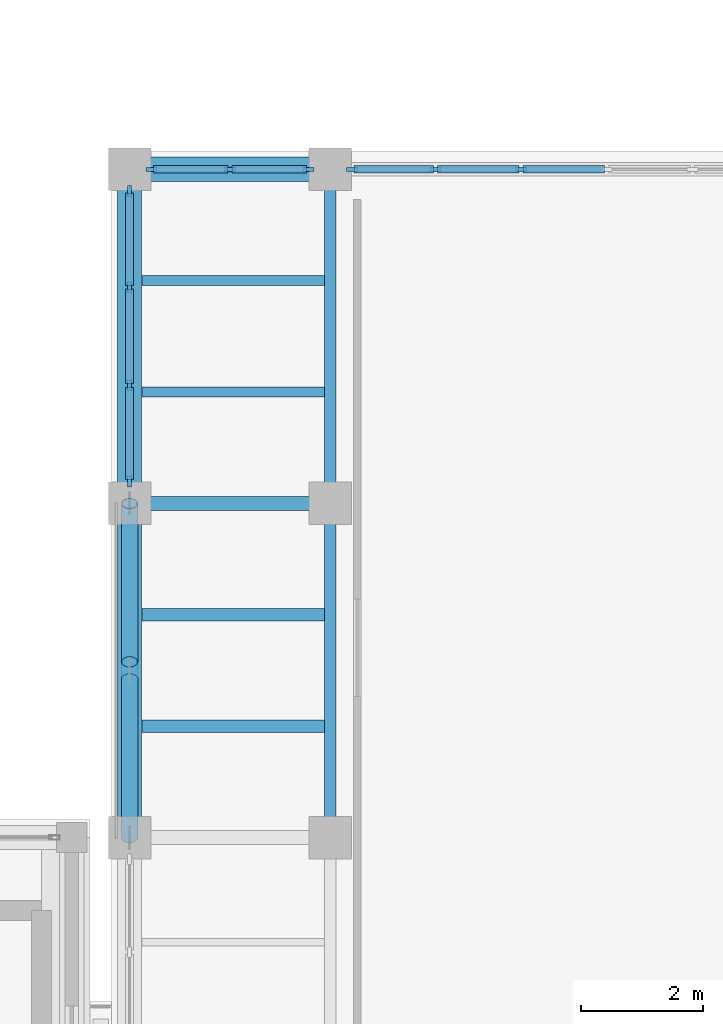
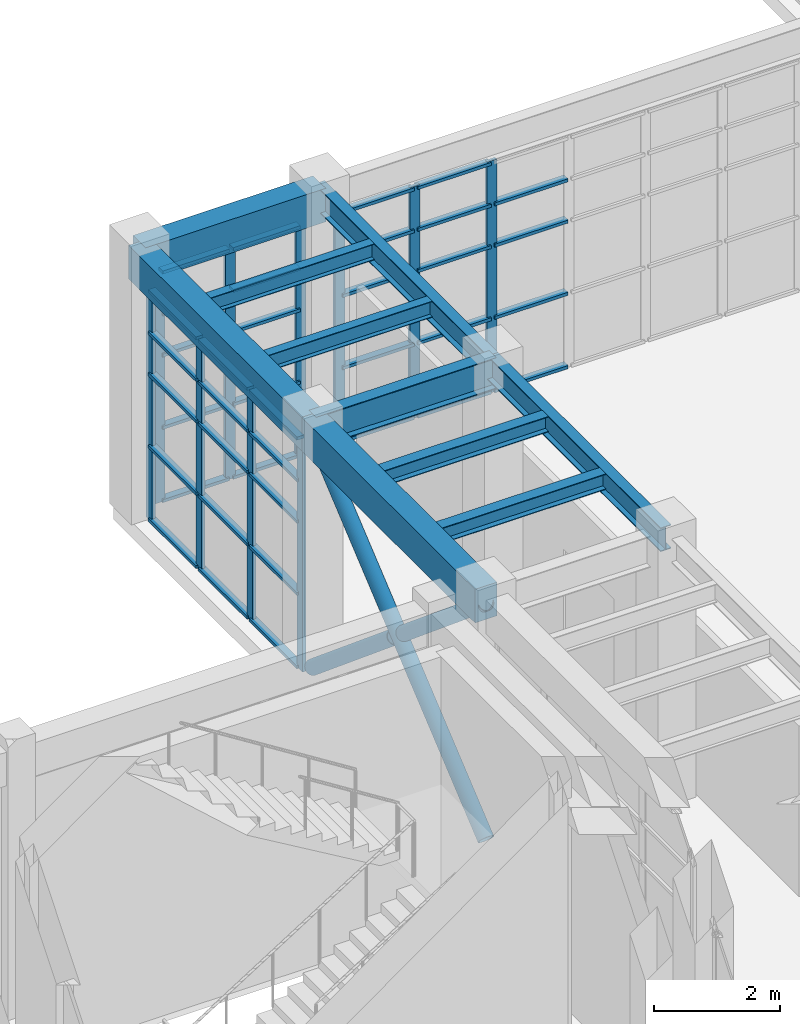
# One storey, part 43 of 103: 52 members, 10 beams, 3 elements without a shape of their own.
"""IFC4 building model written with IfcOpenShell, lengths in metres."""

from ifc_helpers import new_model, si_unit, direction, frame, origin, origin_2d, place, context, subcontext, project, spatial, rectangle, hollow_circle, i_section, extrude, material, layer, layer_set, material_profile, profile_set, type_object, element, aggregate, save


model = new_model("IFC4")

# Units and contexts
model_context = context("Model", 3, precision=1e-05, world=origin(), true_north=direction((0.0, 1.0)))
body_context = subcontext(model_context, "Body", "Model", "MODEL_VIEW")
ifc_project = project(units=[si_unit("LENGTHUNIT", "METRE"), si_unit("AREAUNIT", "SQUARE_METRE"), si_unit("VOLUMEUNIT", "CUBIC_METRE"), si_unit("PLANEANGLEUNIT", "RADIAN"), si_unit("MASSUNIT", "GRAM", prefix="KILO")], contexts=[model_context])

# Site, building, storey
site_placement = place(None, origin())
site = spatial("IfcSite", under=ifc_project, at=site_placement, CompositionType="ELEMENT")
building_placement = place(site_placement, origin())
building = spatial("IfcBuilding", under=site, at=building_placement, Name="Candilejo Ridge Gondola Terminal", CompositionType="ELEMENT")
storey_placement = place(building_placement, frame((0.0, 0.0, 9.0)))
storey = spatial("IfcBuildingStorey", under=building, at=storey_placement, Name="L02", CompositionType="ELEMENT", Elevation=9.0)

# Curtain wall, members
ifc_material_1 = material(Name="Anodised aluminium AA 6063-T6", Category="aluminium")
ifc_layer_1 = layer(ifc_material_1, 0.169921875)
ifc_layer_set_1 = layer_set([ifc_layer_1], Name="ARC-CW-HALL-3800-485X449")
curtain_wall_type_1 = type_object("IfcCurtainWallType", Name="ARC-CW-HALL-3800-485X449", PredefinedType="NOTDEFINED", material=ifc_layer_set_1)
curtain_wall_1_placement = place(storey_placement, origin())
curtain_wall_1 = element("IfcCurtainWall", 1, at=curtain_wall_1_placement, inside=storey, type_object=curtain_wall_type_1, Name="Curtain wall V4 L02-142", PredefinedType="NOTDEFINED")
ifc_material_2 = material(Name="Anodised aluminium AA 6063-T6", Category="aluminium")
ifc_material_profile_1 = material_profile(ifc_material_2, rectangle(XDim=0.06494140625, YDim=0.179931640625, at=origin_2d()))
ifc_profile_set_1 = profile_set([ifc_material_profile_1], Name="Anodised aluminium AA 6063-T6")
member_type_1 = type_object("IfcMemberType", Name="ARC-CW-MULLION-180", PredefinedType="MULLION", material=ifc_profile_set_1)
member_1_placement = place(storey_placement, frame((133.89990234375, 42.5576171875, 0.0), z_axis=(0.0, 0.0, 1.0), x_axis=(-1.0, 0.0, 0.0)))
member_1 = element("IfcMember", 2, at=member_1_placement, type_object=member_type_1, Name="CW-48X44 mullion 1", PredefinedType="MULLION", context=body_context, shape_type="SweptSolid", body=[
    extrude(rectangle(XDim=0.06494140625, YDim=0.179931640625, at=origin_2d()), origin(), (0.0, 0.0, 1.0), 4.489990234375),
])
member_2_placement = place(storey_placement, frame((133.89990234375, 44.1416015625, 0.0), z_axis=(0.0, 0.0, 1.0), x_axis=(-1.0, 0.0, 0.0)))
member_2 = element("IfcMember", 3, at=member_2_placement, type_object=member_type_1, Name="CW-48X44 mullion 2", PredefinedType="MULLION", context=body_context, shape_type="SweptSolid", body=[
    extrude(rectangle(XDim=0.06494140625, YDim=0.179931640625, at=origin_2d()), origin(), (0.0, 0.0, 1.0), 4.489990234375),
])
member_3_placement = place(storey_placement, frame((133.89990234375, 45.75830078125, 0.0), z_axis=(0.0, 0.0, 1.0), x_axis=(-1.0, 0.0, 0.0)))
member_3 = element("IfcMember", 4, at=member_3_placement, type_object=member_type_1, Name="CW-48X44 mullion 3", PredefinedType="MULLION", context=body_context, shape_type="SweptSolid", body=[
    extrude(rectangle(XDim=0.06494140625, YDim=0.179931640625, at=origin_2d()), origin(), (0.0, 0.0, 1.0), 4.489990234375),
])
member_4_placement = place(storey_placement, frame((133.89990234375, 47.342529296875, 0.0), z_axis=(0.0, 0.0, 1.0), x_axis=(-1.0, 0.0, 0.0)))
member_4 = element("IfcMember", 5, at=member_4_placement, type_object=member_type_1, Name="CW-48X44 mullion 4", PredefinedType="MULLION", context=body_context, shape_type="SweptSolid", body=[
    extrude(rectangle(XDim=0.06494140625, YDim=0.179931640625, at=origin_2d()), origin(), (0.0, 0.0, 1.0), 4.489990234375),
])

ifc_material_3 = material(Name="Anodised aluminium AA 6063-T6", Category="aluminium")
ifc_layer_2 = layer(ifc_material_3, 0.169921875)
ifc_layer_set_2 = layer_set([ifc_layer_2], Name="ARC-CW-HALL-3800-265X449")
curtain_wall_type_2 = type_object("IfcCurtainWallType", Name="ARC-CW-HALL-3800-265X449", PredefinedType="NOTDEFINED", material=ifc_layer_set_2)
curtain_wall_2_placement = place(storey_placement, origin())
curtain_wall_2 = element("IfcCurtainWall", 6, at=curtain_wall_2_placement, inside=storey, type_object=curtain_wall_type_2, Name="Curtain wall V4 L02-149", PredefinedType="NOTDEFINED")
member_5_placement = place(storey_placement, frame((134.257568359375, 47.699951171875, 0.0), z_axis=(0.0, 0.0, 1.0), x_axis=(0.0, 1.0, 0.0)))
member_5 = element("IfcMember", 7, at=member_5_placement, type_object=member_type_1, Name="CW-26X44 mullion 1", PredefinedType="MULLION", context=body_context, shape_type="SweptSolid", body=[
    extrude(rectangle(XDim=0.06494140625, YDim=0.179931640625, at=origin_2d()), origin(), (0.0, 0.0, 1.0), 4.489990234375),
])
member_6_placement = place(storey_placement, frame((135.550048828125, 47.699951171875, 0.0), z_axis=(0.0, 0.0, 1.0), x_axis=(0.0, 1.0, 0.0)))
member_6 = element("IfcMember", 8, at=member_6_placement, type_object=member_type_1, Name="CW-26X44 mullion 2", PredefinedType="MULLION", context=body_context, shape_type="SweptSolid", body=[
    extrude(rectangle(XDim=0.06494140625, YDim=0.179931640625, at=origin_2d()), origin(), (0.0, 0.0, 1.0), 4.489990234375),
])
member_7_placement = place(storey_placement, frame((136.842529296875, 47.699951171875, 0.0), z_axis=(0.0, 0.0, 1.0), x_axis=(0.0, 1.0, 0.0)))
member_7 = element("IfcMember", 9, at=member_7_placement, type_object=member_type_1, Name="CW-26X44 mullion 3", PredefinedType="MULLION", context=body_context, shape_type="SweptSolid", body=[
    extrude(rectangle(XDim=0.06494140625, YDim=0.179931640625, at=origin_2d()), origin(), (0.0, 0.0, 1.0), 4.489990234375),
])

ifc_material_4 = material(Name="Anodised aluminium AA 6063-T6", Category="aluminium")
ifc_layer_3 = layer(ifc_material_4, 0.169921875)
ifc_layer_set_3 = layer_set([ifc_layer_3], Name="ARC-CW-HALL-3800-1128X449")
curtain_wall_type_3 = type_object("IfcCurtainWallType", Name="ARC-CW-HALL-3800-1128X449", PredefinedType="NOTDEFINED", material=ifc_layer_set_3)
curtain_wall_3_placement = place(storey_placement, origin())
curtain_wall_3 = element("IfcCurtainWall", 10, at=curtain_wall_3_placement, inside=storey, type_object=curtain_wall_type_3, Name="Curtain wall V4 L02-151", PredefinedType="NOTDEFINED")
member_8_placement = place(storey_placement, frame((137.5576171875, 47.699951171875, 0.0), z_axis=(0.0, 0.0, 1.0), x_axis=(0.0, 1.0, 0.0)))
member_8 = element("IfcMember", 11, at=member_8_placement, type_object=member_type_1, Name="CW-112X44 mullion 1", PredefinedType="MULLION", context=body_context, shape_type="SweptSolid", body=[
    extrude(rectangle(XDim=0.06494140625, YDim=0.179931640625, at=origin_2d()), origin(), (0.0, 0.0, 1.0), 4.489990234375),
])
member_9_placement = place(storey_placement, frame((138.934326171875, 47.699951171875, 0.0), z_axis=(0.0, 0.0, 1.0), x_axis=(0.0, 1.0, 0.0)))
member_9 = element("IfcMember", 12, at=member_9_placement, type_object=member_type_1, Name="CW-112X44 mullion 2", PredefinedType="MULLION", context=body_context, shape_type="SweptSolid", body=[
    extrude(rectangle(XDim=0.06494140625, YDim=0.179931640625, at=origin_2d()), origin(), (0.0, 0.0, 1.0), 4.489990234375),
])
member_10_placement = place(storey_placement, frame((140.34375, 47.699951171875, 0.0), z_axis=(0.0, 0.0, 1.0), x_axis=(0.0, 1.0, 0.0)))
member_10 = element("IfcMember", 13, at=member_10_placement, type_object=member_type_1, Name="CW-112X44 mullion 3", PredefinedType="MULLION", context=body_context, shape_type="SweptSolid", body=[
    extrude(rectangle(XDim=0.06494140625, YDim=0.179931640625, at=origin_2d()), origin(), (0.0, 0.0, 1.0), 4.489990234375),
])

# Member
ifc_material_5 = material(Name="Anodised aluminium AA 6063-T6", Category="aluminium")
ifc_material_profile_2 = material_profile(ifc_material_5, rectangle(XDim=0.1298828125, YDim=0.06005859375, at=origin_2d()))
ifc_profile_set_2 = profile_set([ifc_material_profile_2], Name="Anodised aluminium AA 6063-T6")
member_type_2 = type_object("IfcMemberType", Name="ARC-CW-TRANSOM-130", PredefinedType="USERDEFINED", material=ifc_profile_set_2)
member_11_placement = place(storey_placement, frame((133.89990234375, 42.590087890625, 0.030029296875), z_axis=(0.0, 1.0, 0.0), x_axis=(-1.0, 0.0, 0.0)))
member_11 = element("IfcMember", 14, at=member_11_placement, type_object=member_type_2, Name="CW-48X44 transom 1.1", ObjectType="TRANSOM", PredefinedType="USERDEFINED", context=body_context, shape_type="SweptSolid", body=[
    extrude(rectangle(XDim=0.1298828125, YDim=0.06005859375, at=origin_2d()), origin(), (0.0, 0.0, 1.0), 1.51904296875),
])

member_12_placement = place(storey_placement, frame((133.89990234375, 42.590087890625, 1.449951171875), z_axis=(0.0, 1.0, 0.0), x_axis=(-1.0, 0.0, 0.0)))
member_12 = element("IfcMember", 15, at=member_12_placement, type_object=member_type_2, Name="CW-48X44 transom 1.2", ObjectType="TRANSOM", PredefinedType="USERDEFINED", context=body_context, shape_type="SweptSolid", body=[
    extrude(rectangle(XDim=0.1298828125, YDim=0.06005859375, at=origin_2d()), origin(), (0.0, 0.0, 1.0), 1.51904296875),
])

member_13_placement = place(storey_placement, frame((133.89990234375, 42.590087890625, 2.85009765625), z_axis=(0.0, 1.0, 0.0), x_axis=(-1.0, 0.0, 0.0)))
member_13 = element("IfcMember", 16, at=member_13_placement, type_object=member_type_2, Name="CW-48X44 transom 1.3", ObjectType="TRANSOM", PredefinedType="USERDEFINED", context=body_context, shape_type="SweptSolid", body=[
    extrude(rectangle(XDim=0.1298828125, YDim=0.06005859375, at=origin_2d()), origin(), (0.0, 0.0, 1.0), 1.51904296875),
])

member_14_placement = place(storey_placement, frame((133.89990234375, 42.590087890625, 3.64990234375), z_axis=(0.0, 1.0, 0.0), x_axis=(-1.0, 0.0, 0.0)))
member_14 = element("IfcMember", 17, at=member_14_placement, type_object=member_type_2, Name="CW-48X44 transom 1.4", ObjectType="TRANSOM", PredefinedType="USERDEFINED", context=body_context, shape_type="SweptSolid", body=[
    extrude(rectangle(XDim=0.1298828125, YDim=0.06005859375, at=origin_2d()), origin(), (0.0, 0.0, 1.0), 1.51904296875),
])

member_15_placement = place(storey_placement, frame((133.89990234375, 42.590087890625, 4.4599609375), z_axis=(0.0, 1.0, 0.0), x_axis=(-1.0, 0.0, 0.0)))
member_15 = element("IfcMember", 18, at=member_15_placement, type_object=member_type_2, Name="CW-48X44 transom 1.5", ObjectType="TRANSOM", PredefinedType="USERDEFINED", context=body_context, shape_type="SweptSolid", body=[
    extrude(rectangle(XDim=0.1298828125, YDim=0.06005859375, at=origin_2d()), origin(), (0.0, 0.0, 1.0), 1.51904296875),
])

member_16_placement = place(storey_placement, frame((133.89990234375, 44.174072265625, 0.030029296875), z_axis=(0.0, 1.0, 0.0), x_axis=(-1.0, 0.0, 0.0)))
member_16 = element("IfcMember", 19, at=member_16_placement, type_object=member_type_2, Name="CW-48X44 transom 2.1", ObjectType="TRANSOM", PredefinedType="USERDEFINED", context=body_context, shape_type="SweptSolid", body=[
    extrude(rectangle(XDim=0.1298828125, YDim=0.06005859375, at=origin_2d()), origin(), (0.0, 0.0, 1.0), 1.5517578125),
])

member_17_placement = place(storey_placement, frame((133.89990234375, 44.174072265625, 1.449951171875), z_axis=(0.0, 1.0, 0.0), x_axis=(-1.0, 0.0, 0.0)))
member_17 = element("IfcMember", 20, at=member_17_placement, type_object=member_type_2, Name="CW-48X44 transom 2.2", ObjectType="TRANSOM", PredefinedType="USERDEFINED", context=body_context, shape_type="SweptSolid", body=[
    extrude(rectangle(XDim=0.1298828125, YDim=0.06005859375, at=origin_2d()), origin(), (0.0, 0.0, 1.0), 1.5517578125),
])

member_18_placement = place(storey_placement, frame((133.89990234375, 44.174072265625, 2.85009765625), z_axis=(0.0, 1.0, 0.0), x_axis=(-1.0, 0.0, 0.0)))
member_18 = element("IfcMember", 21, at=member_18_placement, type_object=member_type_2, Name="CW-48X44 transom 2.3", ObjectType="TRANSOM", PredefinedType="USERDEFINED", context=body_context, shape_type="SweptSolid", body=[
    extrude(rectangle(XDim=0.1298828125, YDim=0.06005859375, at=origin_2d()), origin(), (0.0, 0.0, 1.0), 1.5517578125),
])

member_19_placement = place(storey_placement, frame((133.89990234375, 44.174072265625, 3.64990234375), z_axis=(0.0, 1.0, 0.0), x_axis=(-1.0, 0.0, 0.0)))
member_19 = element("IfcMember", 22, at=member_19_placement, type_object=member_type_2, Name="CW-48X44 transom 2.4", ObjectType="TRANSOM", PredefinedType="USERDEFINED", context=body_context, shape_type="SweptSolid", body=[
    extrude(rectangle(XDim=0.1298828125, YDim=0.06005859375, at=origin_2d()), origin(), (0.0, 0.0, 1.0), 1.5517578125),
])

member_20_placement = place(storey_placement, frame((133.89990234375, 44.174072265625, 4.4599609375), z_axis=(0.0, 1.0, 0.0), x_axis=(-1.0, 0.0, 0.0)))
member_20 = element("IfcMember", 23, at=member_20_placement, type_object=member_type_2, Name="CW-48X44 transom 2.5", ObjectType="TRANSOM", PredefinedType="USERDEFINED", context=body_context, shape_type="SweptSolid", body=[
    extrude(rectangle(XDim=0.1298828125, YDim=0.06005859375, at=origin_2d()), origin(), (0.0, 0.0, 1.0), 1.5517578125),
])

member_21_placement = place(storey_placement, frame((133.89990234375, 45.790771484375, 0.030029296875), z_axis=(0.0, 1.0, 0.0), x_axis=(-1.0, 0.0, 0.0)))
member_21 = element("IfcMember", 24, at=member_21_placement, type_object=member_type_2, Name="CW-48X44 transom 3.1", ObjectType="TRANSOM", PredefinedType="USERDEFINED", context=body_context, shape_type="SweptSolid", body=[
    extrude(rectangle(XDim=0.1298828125, YDim=0.06005859375, at=origin_2d()), origin(), (0.0, 0.0, 1.0), 1.519287109375),
])

member_22_placement = place(storey_placement, frame((133.89990234375, 45.790771484375, 1.449951171875), z_axis=(0.0, 1.0, 0.0), x_axis=(-1.0, 0.0, 0.0)))
member_22 = element("IfcMember", 25, at=member_22_placement, type_object=member_type_2, Name="CW-48X44 transom 3.2", ObjectType="TRANSOM", PredefinedType="USERDEFINED", context=body_context, shape_type="SweptSolid", body=[
    extrude(rectangle(XDim=0.1298828125, YDim=0.06005859375, at=origin_2d()), origin(), (0.0, 0.0, 1.0), 1.519287109375),
])

member_23_placement = place(storey_placement, frame((133.89990234375, 45.790771484375, 2.85009765625), z_axis=(0.0, 1.0, 0.0), x_axis=(-1.0, 0.0, 0.0)))
member_23 = element("IfcMember", 26, at=member_23_placement, type_object=member_type_2, Name="CW-48X44 transom 3.3", ObjectType="TRANSOM", PredefinedType="USERDEFINED", context=body_context, shape_type="SweptSolid", body=[
    extrude(rectangle(XDim=0.1298828125, YDim=0.06005859375, at=origin_2d()), origin(), (0.0, 0.0, 1.0), 1.519287109375),
])

member_24_placement = place(storey_placement, frame((133.89990234375, 45.790771484375, 3.64990234375), z_axis=(0.0, 1.0, 0.0), x_axis=(-1.0, 0.0, 0.0)))
member_24 = element("IfcMember", 27, at=member_24_placement, type_object=member_type_2, Name="CW-48X44 transom 3.4", ObjectType="TRANSOM", PredefinedType="USERDEFINED", context=body_context, shape_type="SweptSolid", body=[
    extrude(rectangle(XDim=0.1298828125, YDim=0.06005859375, at=origin_2d()), origin(), (0.0, 0.0, 1.0), 1.519287109375),
])

member_25_placement = place(storey_placement, frame((133.89990234375, 45.790771484375, 4.4599609375), z_axis=(0.0, 1.0, 0.0), x_axis=(-1.0, 0.0, 0.0)))
member_25 = element("IfcMember", 28, at=member_25_placement, type_object=member_type_2, Name="CW-48X44 transom 3.5", ObjectType="TRANSOM", PredefinedType="USERDEFINED", context=body_context, shape_type="SweptSolid", body=[
    extrude(rectangle(XDim=0.1298828125, YDim=0.06005859375, at=origin_2d()), origin(), (0.0, 0.0, 1.0), 1.519287109375),
])

aggregate(curtain_wall_1, [member_1, member_2, member_3, member_4, member_11, member_12, member_13, member_14, member_15, member_16, member_17, member_18, member_19, member_20, member_21, member_22, member_23, member_24, member_25])

member_26_placement = place(storey_placement, frame((134.2900390625, 47.699951171875, 0.030029296875), z_axis=(1.0, 0.0, 0.0), x_axis=(0.0, 1.0, 0.0)))
member_26 = element("IfcMember", 29, at=member_26_placement, type_object=member_type_2, Name="CW-26X44 transom 1.1", ObjectType="TRANSOM", PredefinedType="USERDEFINED", context=body_context, shape_type="SweptSolid", body=[
    extrude(rectangle(XDim=0.1298828125, YDim=0.06005859375, at=origin_2d()), origin(), (0.0, 0.0, 1.0), 1.2275390625),
])

member_27_placement = place(storey_placement, frame((134.2900390625, 47.699951171875, 1.449951171875), z_axis=(1.0, 0.0, 0.0), x_axis=(0.0, 1.0, 0.0)))
member_27 = element("IfcMember", 30, at=member_27_placement, type_object=member_type_2, Name="CW-26X44 transom 1.2", ObjectType="TRANSOM", PredefinedType="USERDEFINED", context=body_context, shape_type="SweptSolid", body=[
    extrude(rectangle(XDim=0.1298828125, YDim=0.06005859375, at=origin_2d()), origin(), (0.0, 0.0, 1.0), 1.2275390625),
])

member_28_placement = place(storey_placement, frame((134.2900390625, 47.699951171875, 2.85009765625), z_axis=(1.0, 0.0, 0.0), x_axis=(0.0, 1.0, 0.0)))
member_28 = element("IfcMember", 31, at=member_28_placement, type_object=member_type_2, Name="CW-26X44 transom 1.3", ObjectType="TRANSOM", PredefinedType="USERDEFINED", context=body_context, shape_type="SweptSolid", body=[
    extrude(rectangle(XDim=0.1298828125, YDim=0.06005859375, at=origin_2d()), origin(), (0.0, 0.0, 1.0), 1.2275390625),
])

member_29_placement = place(storey_placement, frame((134.2900390625, 47.699951171875, 3.64990234375), z_axis=(1.0, 0.0, 0.0), x_axis=(0.0, 1.0, 0.0)))
member_29 = element("IfcMember", 32, at=member_29_placement, type_object=member_type_2, Name="CW-26X44 transom 1.4", ObjectType="TRANSOM", PredefinedType="USERDEFINED", context=body_context, shape_type="SweptSolid", body=[
    extrude(rectangle(XDim=0.1298828125, YDim=0.06005859375, at=origin_2d()), origin(), (0.0, 0.0, 1.0), 1.2275390625),
])

member_30_placement = place(storey_placement, frame((134.2900390625, 47.699951171875, 4.4599609375), z_axis=(1.0, 0.0, 0.0), x_axis=(0.0, 1.0, 0.0)))
member_30 = element("IfcMember", 33, at=member_30_placement, type_object=member_type_2, Name="CW-26X44 transom 1.5", ObjectType="TRANSOM", PredefinedType="USERDEFINED", context=body_context, shape_type="SweptSolid", body=[
    extrude(rectangle(XDim=0.1298828125, YDim=0.06005859375, at=origin_2d()), origin(), (0.0, 0.0, 1.0), 1.2275390625),
])

member_31_placement = place(storey_placement, frame((135.58251953125, 47.699951171875, 0.030029296875), z_axis=(1.0, 0.0, 0.0), x_axis=(0.0, 1.0, 0.0)))
member_31 = element("IfcMember", 34, at=member_31_placement, type_object=member_type_2, Name="CW-26X44 transom 2.1", ObjectType="TRANSOM", PredefinedType="USERDEFINED", context=body_context, shape_type="SweptSolid", body=[
    extrude(rectangle(XDim=0.1298828125, YDim=0.06005859375, at=origin_2d()), origin(), (0.0, 0.0, 1.0), 1.2275390625),
])

member_32_placement = place(storey_placement, frame((135.58251953125, 47.699951171875, 1.449951171875), z_axis=(1.0, 0.0, 0.0), x_axis=(0.0, 1.0, 0.0)))
member_32 = element("IfcMember", 35, at=member_32_placement, type_object=member_type_2, Name="CW-26X44 transom 2.2", ObjectType="TRANSOM", PredefinedType="USERDEFINED", context=body_context, shape_type="SweptSolid", body=[
    extrude(rectangle(XDim=0.1298828125, YDim=0.06005859375, at=origin_2d()), origin(), (0.0, 0.0, 1.0), 1.2275390625),
])

member_33_placement = place(storey_placement, frame((135.58251953125, 47.699951171875, 2.85009765625), z_axis=(1.0, 0.0, 0.0), x_axis=(0.0, 1.0, 0.0)))
member_33 = element("IfcMember", 36, at=member_33_placement, type_object=member_type_2, Name="CW-26X44 transom 2.3", ObjectType="TRANSOM", PredefinedType="USERDEFINED", context=body_context, shape_type="SweptSolid", body=[
    extrude(rectangle(XDim=0.1298828125, YDim=0.06005859375, at=origin_2d()), origin(), (0.0, 0.0, 1.0), 1.2275390625),
])

member_34_placement = place(storey_placement, frame((135.58251953125, 47.699951171875, 3.64990234375), z_axis=(1.0, 0.0, 0.0), x_axis=(0.0, 1.0, 0.0)))
member_34 = element("IfcMember", 37, at=member_34_placement, type_object=member_type_2, Name="CW-26X44 transom 2.4", ObjectType="TRANSOM", PredefinedType="USERDEFINED", context=body_context, shape_type="SweptSolid", body=[
    extrude(rectangle(XDim=0.1298828125, YDim=0.06005859375, at=origin_2d()), origin(), (0.0, 0.0, 1.0), 1.2275390625),
])

member_35_placement = place(storey_placement, frame((135.58251953125, 47.699951171875, 4.4599609375), z_axis=(1.0, 0.0, 0.0), x_axis=(0.0, 1.0, 0.0)))
member_35 = element("IfcMember", 38, at=member_35_placement, type_object=member_type_2, Name="CW-26X44 transom 2.5", ObjectType="TRANSOM", PredefinedType="USERDEFINED", context=body_context, shape_type="SweptSolid", body=[
    extrude(rectangle(XDim=0.1298828125, YDim=0.06005859375, at=origin_2d()), origin(), (0.0, 0.0, 1.0), 1.2275390625),
])

aggregate(curtain_wall_2, [member_5, member_6, member_7, member_26, member_27, member_28, member_29, member_30, member_31, member_32, member_33, member_34, member_35])

member_36_placement = place(storey_placement, frame((137.590087890625, 47.699951171875, 0.030029296875), z_axis=(1.0, 0.0, 0.0), x_axis=(0.0, 1.0, 0.0)))
member_36 = element("IfcMember", 39, at=member_36_placement, type_object=member_type_2, Name="CW-112X44 transom 1.1", ObjectType="TRANSOM", PredefinedType="USERDEFINED", context=body_context, shape_type="SweptSolid", body=[
    extrude(rectangle(XDim=0.1298828125, YDim=0.06005859375, at=origin_2d()), origin(), (0.0, 0.0, 1.0), 1.311767578125),
])

member_37_placement = place(storey_placement, frame((137.590087890625, 47.699951171875, 1.449951171875), z_axis=(1.0, 0.0, 0.0), x_axis=(0.0, 1.0, 0.0)))
member_37 = element("IfcMember", 40, at=member_37_placement, type_object=member_type_2, Name="CW-112X44 transom 1.2", ObjectType="TRANSOM", PredefinedType="USERDEFINED", context=body_context, shape_type="SweptSolid", body=[
    extrude(rectangle(XDim=0.1298828125, YDim=0.06005859375, at=origin_2d()), origin(), (0.0, 0.0, 1.0), 1.311767578125),
])

member_38_placement = place(storey_placement, frame((137.590087890625, 47.699951171875, 2.85009765625), z_axis=(1.0, 0.0, 0.0), x_axis=(0.0, 1.0, 0.0)))
member_38 = element("IfcMember", 41, at=member_38_placement, type_object=member_type_2, Name="CW-112X44 transom 1.3", ObjectType="TRANSOM", PredefinedType="USERDEFINED", context=body_context, shape_type="SweptSolid", body=[
    extrude(rectangle(XDim=0.1298828125, YDim=0.06005859375, at=origin_2d()), origin(), (0.0, 0.0, 1.0), 1.311767578125),
])

member_39_placement = place(storey_placement, frame((137.590087890625, 47.699951171875, 3.64990234375), z_axis=(1.0, 0.0, 0.0), x_axis=(0.0, 1.0, 0.0)))
member_39 = element("IfcMember", 42, at=member_39_placement, type_object=member_type_2, Name="CW-112X44 transom 1.4", ObjectType="TRANSOM", PredefinedType="USERDEFINED", context=body_context, shape_type="SweptSolid", body=[
    extrude(rectangle(XDim=0.1298828125, YDim=0.06005859375, at=origin_2d()), origin(), (0.0, 0.0, 1.0), 1.311767578125),
])

member_40_placement = place(storey_placement, frame((137.590087890625, 47.699951171875, 4.4599609375), z_axis=(1.0, 0.0, 0.0), x_axis=(0.0, 1.0, 0.0)))
member_40 = element("IfcMember", 43, at=member_40_placement, type_object=member_type_2, Name="CW-112X44 transom 1.5", ObjectType="TRANSOM", PredefinedType="USERDEFINED", context=body_context, shape_type="SweptSolid", body=[
    extrude(rectangle(XDim=0.1298828125, YDim=0.06005859375, at=origin_2d()), origin(), (0.0, 0.0, 1.0), 1.311767578125),
])

member_41_placement = place(storey_placement, frame((138.966796875, 47.699951171875, 0.030029296875), z_axis=(1.0, 0.0, 0.0), x_axis=(0.0, 1.0, 0.0)))
member_41 = element("IfcMember", 44, at=member_41_placement, type_object=member_type_2, Name="CW-112X44 transom 2.1", ObjectType="TRANSOM", PredefinedType="USERDEFINED", context=body_context, shape_type="SweptSolid", body=[
    extrude(rectangle(XDim=0.1298828125, YDim=0.06005859375, at=origin_2d()), origin(), (0.0, 0.0, 1.0), 1.344482421875),
])

member_42_placement = place(storey_placement, frame((138.966796875, 47.699951171875, 1.449951171875), z_axis=(1.0, 0.0, 0.0), x_axis=(0.0, 1.0, 0.0)))
member_42 = element("IfcMember", 45, at=member_42_placement, type_object=member_type_2, Name="CW-112X44 transom 2.2", ObjectType="TRANSOM", PredefinedType="USERDEFINED", context=body_context, shape_type="SweptSolid", body=[
    extrude(rectangle(XDim=0.1298828125, YDim=0.06005859375, at=origin_2d()), origin(), (0.0, 0.0, 1.0), 1.344482421875),
])

member_43_placement = place(storey_placement, frame((138.966796875, 47.699951171875, 2.85009765625), z_axis=(1.0, 0.0, 0.0), x_axis=(0.0, 1.0, 0.0)))
member_43 = element("IfcMember", 46, at=member_43_placement, type_object=member_type_2, Name="CW-112X44 transom 2.3", ObjectType="TRANSOM", PredefinedType="USERDEFINED", context=body_context, shape_type="SweptSolid", body=[
    extrude(rectangle(XDim=0.1298828125, YDim=0.06005859375, at=origin_2d()), origin(), (0.0, 0.0, 1.0), 1.344482421875),
])

member_44_placement = place(storey_placement, frame((138.966796875, 47.699951171875, 3.64990234375), z_axis=(1.0, 0.0, 0.0), x_axis=(0.0, 1.0, 0.0)))
member_44 = element("IfcMember", 47, at=member_44_placement, type_object=member_type_2, Name="CW-112X44 transom 2.4", ObjectType="TRANSOM", PredefinedType="USERDEFINED", context=body_context, shape_type="SweptSolid", body=[
    extrude(rectangle(XDim=0.1298828125, YDim=0.06005859375, at=origin_2d()), origin(), (0.0, 0.0, 1.0), 1.344482421875),
])

member_45_placement = place(storey_placement, frame((138.966796875, 47.699951171875, 4.4599609375), z_axis=(1.0, 0.0, 0.0), x_axis=(0.0, 1.0, 0.0)))
member_45 = element("IfcMember", 48, at=member_45_placement, type_object=member_type_2, Name="CW-112X44 transom 2.5", ObjectType="TRANSOM", PredefinedType="USERDEFINED", context=body_context, shape_type="SweptSolid", body=[
    extrude(rectangle(XDim=0.1298828125, YDim=0.06005859375, at=origin_2d()), origin(), (0.0, 0.0, 1.0), 1.344482421875),
])

member_46_placement = place(storey_placement, frame((140.376220703125, 47.699951171875, 0.030029296875), z_axis=(1.0, 0.0, 0.0), x_axis=(0.0, 1.0, 0.0)))
member_46 = element("IfcMember", 49, at=member_46_placement, type_object=member_type_2, Name="CW-112X44 transom 3.1", ObjectType="TRANSOM", PredefinedType="USERDEFINED", context=body_context, shape_type="SweptSolid", body=[
    extrude(rectangle(XDim=0.1298828125, YDim=0.06005859375, at=origin_2d()), origin(), (0.0, 0.0, 1.0), 1.344482421875),
])

member_47_placement = place(storey_placement, frame((140.376220703125, 47.699951171875, 1.449951171875), z_axis=(1.0, 0.0, 0.0), x_axis=(0.0, 1.0, 0.0)))
member_47 = element("IfcMember", 50, at=member_47_placement, type_object=member_type_2, Name="CW-112X44 transom 3.2", ObjectType="TRANSOM", PredefinedType="USERDEFINED", context=body_context, shape_type="SweptSolid", body=[
    extrude(rectangle(XDim=0.1298828125, YDim=0.06005859375, at=origin_2d()), origin(), (0.0, 0.0, 1.0), 1.344482421875),
])

member_48_placement = place(storey_placement, frame((140.376220703125, 47.699951171875, 2.85009765625), z_axis=(1.0, 0.0, 0.0), x_axis=(0.0, 1.0, 0.0)))
member_48 = element("IfcMember", 51, at=member_48_placement, type_object=member_type_2, Name="CW-112X44 transom 3.3", ObjectType="TRANSOM", PredefinedType="USERDEFINED", context=body_context, shape_type="SweptSolid", body=[
    extrude(rectangle(XDim=0.1298828125, YDim=0.06005859375, at=origin_2d()), origin(), (0.0, 0.0, 1.0), 1.344482421875),
])

member_49_placement = place(storey_placement, frame((140.376220703125, 47.699951171875, 3.64990234375), z_axis=(1.0, 0.0, 0.0), x_axis=(0.0, 1.0, 0.0)))
member_49 = element("IfcMember", 52, at=member_49_placement, type_object=member_type_2, Name="CW-112X44 transom 3.4", ObjectType="TRANSOM", PredefinedType="USERDEFINED", context=body_context, shape_type="SweptSolid", body=[
    extrude(rectangle(XDim=0.1298828125, YDim=0.06005859375, at=origin_2d()), origin(), (0.0, 0.0, 1.0), 1.344482421875),
])

aggregate(curtain_wall_3, [member_8, member_9, member_10, member_36, member_37, member_38, member_39, member_40, member_41, member_42, member_43, member_44, member_45, member_46, member_47, member_48, member_49])

# Beams
ifc_material_6 = material(Name="Steel ASTM A992 Grade 50", Category="steel")
ifc_material_profile_3 = material_profile(ifc_material_6, i_section(OverallWidth=0.19189453125, OverallDepth=0.462890625, WebThickness=0.010498046875, FlangeThickness=0.017578125, at=origin_2d()))
ifc_profile_set_3 = profile_set([ifc_material_profile_3], Name="Steel ASTM A992 Grade 50")
beam_type_1 = type_object("IfcBeamType", Name="STR-BM-W460X89", PredefinedType="BEAM", material=ifc_profile_set_3)
for number, where, z_axis, x_axis, name in (
    (53, (137.199951171875, 36.699951171875, 4.928466796875), (0.0, 1.0, 0.0), (-1.0, 0.0, 0.0), "Beam Y V4 L02 Y07-Y08@X22"),
    (54, (137.199951171875, 42.199951171875, 4.928466796875), (0.0, 1.0, 0.0), (-1.0, 0.0, 0.0), "Beam Y V4 L02 Y08-Y09@X22"),
):
    element("IfcBeam", number, at=place(storey_placement, frame(where, z_axis=z_axis, x_axis=x_axis)), inside=storey, type_object=beam_type_1, Name=name, PredefinedType="BEAM", context=body_context, shape_type="SweptSolid", body=[
        extrude(i_section(OverallWidth=0.19189453125, OverallDepth=0.462890625, WebThickness=0.010498046875, FlangeThickness=0.017578125, at=origin_2d()), origin(), (0.0, 0.0, 1.0), 5.5),
    ])
ifc_material_7 = material(Name="Steel ASTM A992 Grade 50", Category="steel")
ifc_material_profile_4 = material_profile(ifc_material_7, i_section(OverallWidth=0.22802734375, OverallDepth=0.60302734375, WebThickness=0.010498046875, FlangeThickness=0.014892578125, at=origin_2d()))
ifc_profile_set_4 = profile_set([ifc_material_profile_4], Name="Steel ASTM A992 Grade 50")
beam_type_2 = type_object("IfcBeamType", Name="STR-BM-W610X101", PredefinedType="BEAM", material=ifc_profile_set_4)
beam_1_placement = place(storey_placement, frame((133.89990234375, 42.199951171875, 4.8583984375), z_axis=(1.0, 0.0, 0.0), x_axis=(0.0, 1.0, 0.0)))
element("IfcBeam", 55, at=beam_1_placement, inside=storey, type_object=beam_type_2, Name="Beam X V4 L02 X21-X22@Y08", PredefinedType="BEAM", context=body_context, shape_type="SweptSolid", body=[
    extrude(i_section(OverallWidth=0.22802734375, OverallDepth=0.60302734375, WebThickness=0.010498046875, FlangeThickness=0.014892578125, at=origin_2d()), origin(), (0.0, 0.0, 1.0), 3.300048828125),
])

# Members
ifc_material_8 = material(Name="Steel ASTM A500 Grade C", Category="steel")
ifc_material_profile_5 = material_profile(ifc_material_8, hollow_circle(Radius=0.136474609375, WallThickness=0.00927734375, at=origin_2d()))
ifc_profile_set_5 = profile_set([ifc_material_profile_5], Name="Steel ASTM A500 Grade C")
member_type_3 = type_object("IfcMemberType", Name="STR-BRC-CHS273", PredefinedType="BRACE", material=ifc_profile_set_5)
member_50_placement = place(storey_placement, frame((133.89990234375, 36.699951171875, 0.25), z_axis=(0.0, 0.768109478479, 0.640318537191), x_axis=(-1.0, 0.0, 0.0)))
element("IfcMember", 56, at=member_50_placement, inside=storey, type_object=member_type_3, Name="X-brace continuous diagonal V4 L02-03A", PredefinedType="BRACE", context=body_context, shape_type="SweptSolid", body=[
    extrude(hollow_circle(Radius=0.136474609375, WallThickness=0.00927734375, at=origin_2d()), origin(), (0.0, 0.0, 1.0), 7.160400390625),
])
for number, where, z_axis, x_axis, name in (
    (57, (133.89990234375, 36.699951171875, 4.8349609375), (0.0, 0.768103387349, -0.640325843882), (-1.0, 0.0, 0.0), "X-brace split upper segment V4 L02-03B"),
    (58, (133.89990234375, 39.592041015625, 2.424072265625), (0.0, 0.768103387349, -0.640325843882), (-1.0, 0.0, 0.0), "X-brace split lower segment V4 L02-03C"),
):
    element("IfcMember", number, at=place(storey_placement, frame(where, z_axis=z_axis, x_axis=x_axis)), inside=storey, type_object=member_type_3, Name=name, PredefinedType="BRACE", context=body_context, shape_type="SweptSolid", body=[
        extrude(hollow_circle(Radius=0.136474609375, WallThickness=0.00927734375, at=origin_2d()), origin(), (0.0, 0.0, 1.0), 3.395263671875),
    ])

# Beams
ifc_material_9 = material(Name="Steel ASTM A992 Grade 50", Category="steel")
ifc_material_profile_6 = material_profile(ifc_material_9, i_section(OverallWidth=0.166015625, OverallDepth=0.31298828125, WebThickness=0.006591796875, FlangeThickness=0.01123046875, at=origin_2d()))
ifc_profile_set_6 = profile_set([ifc_material_profile_6], Name="Steel ASTM A992 Grade 50")
beam_type_3 = type_object("IfcBeamType", Name="STR-JST-W310X44", PredefinedType="JOIST", material=ifc_profile_set_6)
for number, where, z_axis, x_axis, name in (
    (59, (134.10009765625, 44.033203125, 5.00341796875), (1.0, 0.0, 0.0), (0.0, 1.0, 0.0), "Composite joist V4 L02-0982"),
    (60, (134.10009765625, 45.86669921875, 5.00341796875), (1.0, 0.0, 0.0), (0.0, 1.0, 0.0), "Composite joist V4 L02-0983"),
):
    element("IfcBeam", number, at=place(storey_placement, frame(where, z_axis=z_axis, x_axis=x_axis)), inside=storey, type_object=beam_type_3, Name=name, PredefinedType="JOIST", context=body_context, shape_type="SweptSolid", body=[
        extrude(i_section(OverallWidth=0.166015625, OverallDepth=0.31298828125, WebThickness=0.006591796875, FlangeThickness=0.01123046875, at=origin_2d()), origin(), (0.0, 0.0, 1.0), 3.00390625),
    ])
ifc_material_10 = material(Name="Steel ASTM A992 Grade 50", Category="steel")
ifc_material_profile_7 = material_profile(ifc_material_10, i_section(OverallWidth=0.202880859375, OverallDepth=0.302978515625, WebThickness=0.007568359375, FlangeThickness=0.01318359375, at=origin_2d()))
ifc_profile_set_7 = profile_set([ifc_material_profile_7], Name="Steel ASTM A992 Grade 50")
beam_type_4 = type_object("IfcBeamType", Name="STR-JST-W310X60", PredefinedType="JOIST", material=ifc_profile_set_7)
for number, where, z_axis, x_axis, name in (
    (61, (134.10009765625, 38.533203125, 5.008544921875), (1.0, 0.0, 0.0), (0.0, 1.0, 0.0), "Composite joist V4 L02-0980"),
    (62, (134.10009765625, 40.36669921875, 5.008544921875), (1.0, 0.0, 0.0), (0.0, 1.0, 0.0), "Composite joist V4 L02-0981"),
):
    element("IfcBeam", number, at=place(storey_placement, frame(where, z_axis=z_axis, x_axis=x_axis)), inside=storey, type_object=beam_type_4, Name=name, PredefinedType="JOIST", context=body_context, shape_type="SweptSolid", body=[
        extrude(i_section(OverallWidth=0.202880859375, OverallDepth=0.302978515625, WebThickness=0.007568359375, FlangeThickness=0.01318359375, at=origin_2d()), origin(), (0.0, 0.0, 1.0), 3.00390625),
    ])
ifc_material_11 = material(Name="Concrete f'c 35 MPa (C35/45)", Category="concrete")
ifc_material_profile_8 = material_profile(ifc_material_11, rectangle(XDim=0.39990234375, YDim=0.64990234375, at=origin_2d()))
ifc_profile_set_8 = profile_set([ifc_material_profile_8], Name="Concrete f'c 35 MPa (C35/45)")
beam_type_5 = type_object("IfcBeamType", Name="STR-SPN-RC400X650", PredefinedType="SPANDREL", material=ifc_profile_set_8)
beam_2_placement = place(storey_placement, frame((133.89990234375, 47.699951171875, 4.8349609375), z_axis=(1.0, 0.0, 0.0), x_axis=(0.0, 1.0, 0.0)))
element("IfcBeam", 63, at=beam_2_placement, inside=storey, type_object=beam_type_5, Name="Beam X V4 L02 X21-X22@Y09", PredefinedType="SPANDREL", context=body_context, shape_type="SweptSolid", body=[
    extrude(rectangle(XDim=0.39990234375, YDim=0.64990234375, at=origin_2d()), origin(), (0.0, 0.0, 1.0), 3.300048828125),
])
for number, where, z_axis, x_axis, name in (
    (64, (133.89990234375, 36.699951171875, 4.8349609375), (0.0, 1.0, 0.0), (-1.0, 0.0, 0.0), "Beam Y V4 L02 Y07-Y08@X21"),
    (65, (133.89990234375, 42.199951171875, 4.8349609375), (0.0, 1.0, 0.0), (-1.0, 0.0, 0.0), "Beam Y V4 L02 Y08-Y09@X21"),
):
    element("IfcBeam", number, at=place(storey_placement, frame(where, z_axis=z_axis, x_axis=x_axis)), inside=storey, type_object=beam_type_5, Name=name, PredefinedType="SPANDREL", context=body_context, shape_type="SweptSolid", body=[
        extrude(rectangle(XDim=0.39990234375, YDim=0.64990234375, at=origin_2d()), origin(), (0.0, 0.0, 1.0), 5.5),
    ])

save(model, "model.ifc")
